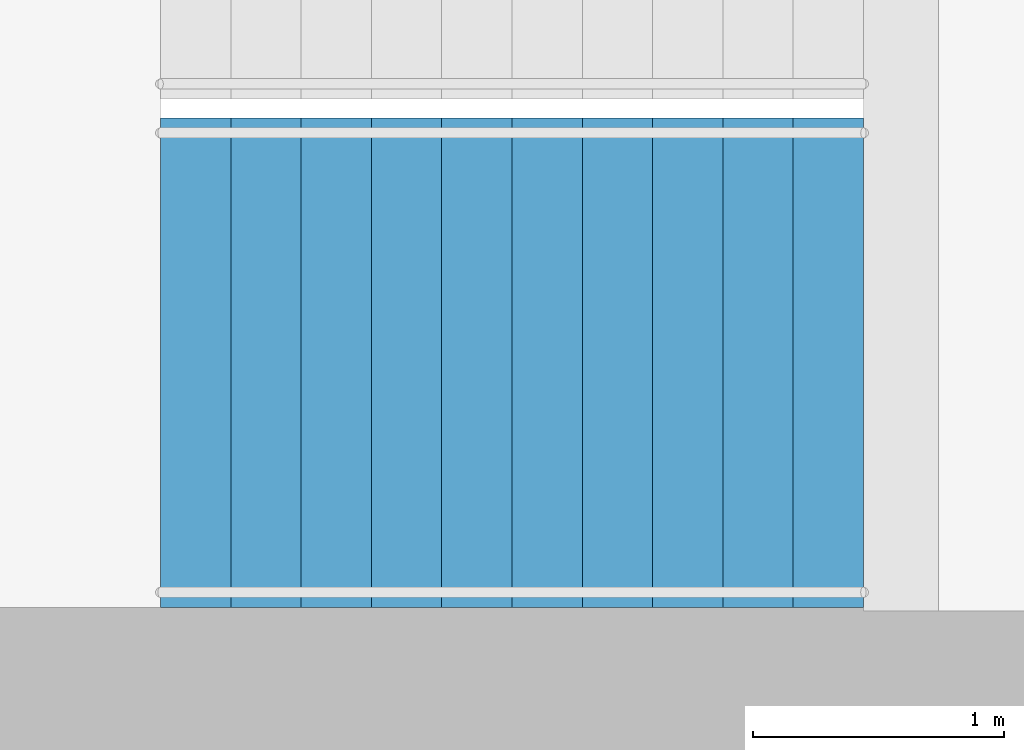
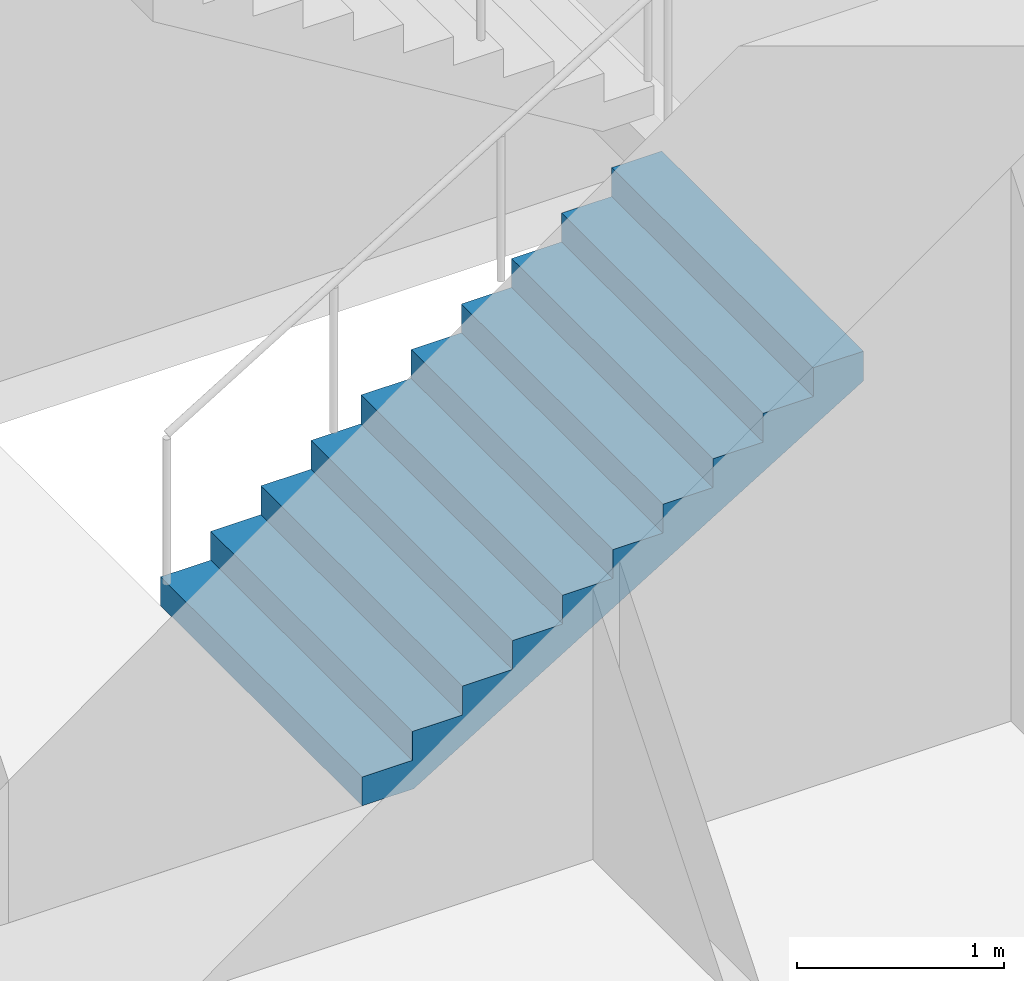
# One storey, part 18 of 22: 1 stair flight, 1 element without a shape of its own.
"""IFC4 building model written with IfcOpenShell, lengths in metres."""

from ifc_helpers import new_model, si_unit, direction, frame, origin, place, context, subcontext, project, spatial, triangles, material, type_object, element, aggregate, save


model = new_model("IFC4")

# Units and contexts
model_context = context("Model", 3, precision=1e-05, world=origin(), true_north=direction((0.0, 1.0)))
body_context = subcontext(model_context, "Body", "Model", "MODEL_VIEW")
ifc_project = project(units=[si_unit("LENGTHUNIT", "METRE"), si_unit("AREAUNIT", "SQUARE_METRE"), si_unit("VOLUMEUNIT", "CUBIC_METRE"), si_unit("PLANEANGLEUNIT", "RADIAN"), si_unit("MASSUNIT", "GRAM", prefix="KILO")], contexts=[model_context])

# Site, building, storey
site_placement = place(None, origin())
site = spatial("IfcSite", under=ifc_project, at=site_placement, CompositionType="ELEMENT")
building_placement = place(site_placement, origin())
building = spatial("IfcBuilding", under=site, at=building_placement, Name="Orbita Commons", CompositionType="ELEMENT")
storey_placement = place(building_placement, frame((0.0, 0.0, 80.64990234375)))
storey = spatial("IfcBuildingStorey", under=building, at=storey_placement, Name="L19", CompositionType="ELEMENT", Elevation=80.64990234375)

# Stair, stair flight
ifc_material_1 = material(Name="Precast concrete C40/50", Category="concrete")
stair_type = type_object("IfcStairType", Name="Exit stair S1 2 flights 11 risers 170", PredefinedType="HALF_TURN_STAIR", material=ifc_material_1)
stair_placement = place(storey_placement, origin())
stair = element("IfcStair", 1, at=stair_placement, inside=storey, type_object=stair_type, Name="Exit stair S1 L19", PredefinedType="HALF_TURN_STAIR")
ifc_material_2 = material(Name="Precast concrete C40/50", Category="concrete")
stair_flight_type = type_object("IfcStairFlightType", Name="Stair flight 11 risers 170 x 280", PredefinedType="STRAIGHT", material=ifc_material_2)
stair_flight_placement = place(storey_placement, frame((20.449951171875, 27.25, 0.0), z_axis=(0.0, 0.0, 1.0), x_axis=(1.0, 0.0, 0.0)))
stair_flight = element("IfcStairFlight", 2, at=stair_flight_placement, type_object=stair_flight_type, Name="S1 flight 1", NumberOfRisers=11, NumberOfTreads=10, PredefinedType="STRAIGHT", RiserHeight=0.170454545, TreadLength=0.28, context=body_context, shape_type="Tessellation", body=[
    triangles([(0.0, 0.974976, 0.0), (0.0, 0.974976, 0.021307), (0.0, 0.81248, 0.021307), (0.0, 0.81248, 0.0), (0.0, 0.649984, 0.021307), (0.0, 0.649984, 0.0), (0.0, 0.487488, 0.021307), (0.0, 0.487488, 0.0), (0.0, 0.324992, 0.021307), (0.0, 0.324992, 0.0), (0.0, 0.162496, 0.021307), (0.0, 0.162496, 0.0), (0.0, 0.0, 0.021307), (0.0, 0.0, 0.0), (0.0, -0.162496, 0.021307), (0.0, -0.162496, 0.0), (0.0, -0.324992, 0.021307), (0.0, -0.324992, 0.0), (0.0, -0.487488, 0.021307), (0.0, -0.487488, 0.0), (0.0, -0.649984, 0.021307), (0.0, -0.649984, 0.0), (0.0, -0.81248, 0.021307), (0.0, -0.81248, 0.0), (0.0, -0.974976, 0.021307), (0.0, -0.974976, 0.0), (0.0, 0.974976, 0.042614), (0.0, 0.81248, 0.042614), (0.0, 0.649984, 0.042614), (0.0, 0.487488, 0.042614), (0.0, 0.324992, 0.042614), (0.0, 0.162496, 0.042614), (0.0, 0.0, 0.042614), (0.0, -0.162496, 0.042614), (0.0, -0.324992, 0.042614), (0.0, -0.487488, 0.042614), (0.0, -0.649984, 0.042614), (0.0, -0.81248, 0.042614), (0.0, -0.974976, 0.042614), (0.0, 0.974976, 0.06392), (0.0, 0.81248, 0.06392), (0.0, 0.649984, 0.06392), (0.0, 0.487488, 0.06392), (0.0, 0.324992, 0.06392), (0.0, 0.162496, 0.06392), (0.0, 0.0, 0.06392), (0.0, -0.162496, 0.06392), (0.0, -0.324992, 0.06392), (0.0, -0.487488, 0.06392), (0.0, -0.649984, 0.06392), (0.0, -0.81248, 0.06392), (0.0, -0.974976, 0.06392), (0.0, 0.974976, 0.085227), (0.0, 0.81248, 0.085227), (0.0, 0.649984, 0.085227), (0.0, 0.487488, 0.085227), (0.0, 0.324992, 0.085227), (0.0, 0.162496, 0.085227), (0.0, 0.0, 0.085227), (0.0, -0.162496, 0.085227), (0.0, -0.324992, 0.085227), (0.0, -0.487488, 0.085227), (0.0, -0.649984, 0.085227), (0.0, -0.81248, 0.085227), (0.0, -0.974976, 0.085227), (0.0, 0.974976, 0.106534), (0.0, 0.81248, 0.106534), (0.0, 0.649984, 0.106534), (0.0, 0.487488, 0.106534), (0.0, 0.324992, 0.106534), (0.0, 0.162496, 0.106534), (0.0, 0.0, 0.106534), (0.0, -0.162496, 0.106534), (0.0, -0.324992, 0.106534), (0.0, -0.487488, 0.106534), (0.0, -0.649984, 0.106534), (0.0, -0.81248, 0.106534), (0.0, -0.974976, 0.106534), (0.0, 0.974976, 0.127841), (0.0, 0.81248, 0.127841), (0.0, 0.649984, 0.127841), (0.0, 0.487488, 0.127841), (0.0, 0.324992, 0.127841), (0.0, 0.162496, 0.127841), (0.0, 0.0, 0.127841), (0.0, -0.162496, 0.127841), (0.0, -0.324992, 0.127841), (0.0, -0.487488, 0.127841), (0.0, -0.649984, 0.127841), (0.0, -0.81248, 0.127841), (0.0, -0.974976, 0.127841), (0.0, 0.974976, 0.149148), (0.0, 0.81248, 0.149148), (0.0, 0.649984, 0.149148), (0.0, 0.487488, 0.149148), (0.0, 0.324992, 0.149148), (0.0, 0.162496, 0.149148), (0.0, 0.0, 0.149148), (0.0, -0.162496, 0.149148), (0.0, -0.324992, 0.149148), (0.0, -0.487488, 0.149148), (0.0, -0.649984, 0.149148), (0.0, -0.81248, 0.149148), (0.0, -0.974976, 0.149148), (0.0, 0.974976, 0.170455), (0.0, 0.81248, 0.170455), (0.0, 0.649984, 0.170455), (0.0, 0.487488, 0.170455), (0.0, 0.324992, 0.170455), (0.0, 0.162496, 0.170455), (0.0, 0.0, 0.170455), (0.0, -0.162496, 0.170455), (0.0, -0.324992, 0.170455), (0.0, -0.487488, 0.170455), (0.0, -0.649984, 0.170455), (0.0, -0.81248, 0.170455), (0.0, -0.974976, 0.170455), (0.28, 0.974976, 0.170455), (0.28, 0.81248, 0.170455), (0.28, 0.649984, 0.170455), (0.28, 0.487488, 0.170455), (0.28, 0.324992, 0.170455), (0.28, 0.162496, 0.170455), (0.28, 0.0, 0.170455), (0.28, -0.162496, 0.170455), (0.28, -0.324992, 0.170455), (0.28, -0.487488, 0.170455), (0.28, -0.649984, 0.170455), (0.28, -0.81248, 0.170455), (0.28, -0.974976, 0.170455), (0.28, 0.974976, 0.340909), (0.28, 0.81248, 0.340909), (0.28, 0.649984, 0.340909), (0.28, 0.487488, 0.340909), (0.28, 0.324992, 0.340909), (0.28, 0.162496, 0.340909), (0.28, 0.0, 0.340909), (0.28, -0.162496, 0.340909), (0.28, -0.324992, 0.340909), (0.28, -0.487488, 0.340909), (0.28, -0.649984, 0.340909), (0.28, -0.81248, 0.340909), (0.28, -0.974976, 0.340909), (0.56, 0.974976, 0.340909), (0.56, 0.81248, 0.340909), (0.56, 0.649984, 0.340909), (0.56, 0.487488, 0.340909), (0.56, 0.324992, 0.340909), (0.56, 0.162496, 0.340909), (0.56, 0.0, 0.340909), (0.56, -0.162496, 0.340909), (0.56, -0.324992, 0.340909), (0.56, -0.487488, 0.340909), (0.56, -0.649984, 0.340909), (0.56, -0.81248, 0.340909), (0.56, -0.974976, 0.340909), (0.56, 0.974976, 0.511364), (0.56, 0.81248, 0.511364), (0.56, 0.649984, 0.511364), (0.56, 0.487488, 0.511364), (0.56, 0.324992, 0.511364), (0.56, 0.162496, 0.511364), (0.56, 0.0, 0.511364), (0.56, -0.162496, 0.511364), (0.56, -0.324992, 0.511364), (0.56, -0.487488, 0.511364), (0.56, -0.649984, 0.511364), (0.56, -0.81248, 0.511364), (0.56, -0.974976, 0.511364), (0.84, 0.974976, 0.511364), (0.84, 0.81248, 0.511364), (0.84, 0.649984, 0.511364), (0.84, 0.487488, 0.511364), (0.84, 0.324992, 0.511364), (0.84, 0.162496, 0.511364), (0.84, 0.0, 0.511364), (0.84, -0.162496, 0.511364), (0.84, -0.324992, 0.511364), (0.84, -0.487488, 0.511364), (0.84, -0.649984, 0.511364), (0.84, -0.81248, 0.511364), (0.84, -0.974976, 0.511364), (0.84, 0.974976, 0.681818), (0.84, 0.81248, 0.681818), (0.84, 0.649984, 0.681818), (0.84, 0.487488, 0.681818), (0.84, 0.324992, 0.681818), (0.84, 0.162496, 0.681818), (0.84, 0.0, 0.681818), (0.84, -0.162496, 0.681818), (0.84, -0.324992, 0.681818), (0.84, -0.487488, 0.681818), (0.84, -0.649984, 0.681818), (0.84, -0.81248, 0.681818), (0.84, -0.974976, 0.681818), (1.12, 0.974976, 0.681818), (1.12, 0.81248, 0.681818), (1.12, 0.649984, 0.681818), (1.12, 0.487488, 0.681818), (1.12, 0.324992, 0.681818), (1.12, 0.162496, 0.681818), (1.12, 0.0, 0.681818), (1.12, -0.162496, 0.681818), (1.12, -0.324992, 0.681818), (1.12, -0.487488, 0.681818), (1.12, -0.649984, 0.681818), (1.12, -0.81248, 0.681818), (1.12, -0.974976, 0.681818), (1.12, 0.974976, 0.852273), (1.12, 0.81248, 0.852273), (1.12, 0.649984, 0.852273), (1.12, 0.487488, 0.852273), (1.12, 0.324992, 0.852273), (1.12, 0.162496, 0.852273), (1.12, 0.0, 0.852273), (1.12, -0.162496, 0.852273), (1.12, -0.324992, 0.852273), (1.12, -0.487488, 0.852273), (1.12, -0.649984, 0.852273), (1.12, -0.81248, 0.852273), (1.12, -0.974976, 0.852273), (1.4, 0.974976, 0.852273), (1.4, 0.81248, 0.852273), (1.4, 0.649984, 0.852273), (1.4, 0.487488, 0.852273), (1.4, 0.324992, 0.852273), (1.4, 0.162496, 0.852273), (1.4, 0.0, 0.852273), (1.4, -0.162496, 0.852273), (1.4, -0.324992, 0.852273), (1.4, -0.487488, 0.852273), (1.4, -0.649984, 0.852273), (1.4, -0.81248, 0.852273), (1.4, -0.974976, 0.852273), (1.4, 0.974976, 1.022727), (1.4, 0.81248, 1.022727), (1.4, 0.649984, 1.022727), (1.4, 0.487488, 1.022727), (1.4, 0.324992, 1.022727), (1.4, 0.162496, 1.022727), (1.4, 0.0, 1.022727), (1.4, -0.162496, 1.022727), (1.4, -0.324992, 1.022727), (1.4, -0.487488, 1.022727), (1.4, -0.649984, 1.022727), (1.4, -0.81248, 1.022727), (1.4, -0.974976, 1.022727), (1.68, 0.974976, 1.022727), (1.68, 0.81248, 1.022727), (1.68, 0.649984, 1.022727), (1.68, 0.487488, 1.022727), (1.68, 0.324992, 1.022727), (1.68, 0.162496, 1.022727), (1.68, 0.0, 1.022727), (1.68, -0.162496, 1.022727), (1.68, -0.324992, 1.022727), (1.68, -0.487488, 1.022727), (1.68, -0.649984, 1.022727), (1.68, -0.81248, 1.022727), (1.68, -0.974976, 1.022727), (1.68, 0.974976, 1.193182), (1.68, 0.81248, 1.193182), (1.68, 0.649984, 1.193182), (1.68, 0.487488, 1.193182), (1.68, 0.324992, 1.193182), (1.68, 0.162496, 1.193182), (1.68, 0.0, 1.193182), (1.68, -0.162496, 1.193182), (1.68, -0.324992, 1.193182), (1.68, -0.487488, 1.193182), (1.68, -0.649984, 1.193182), (1.68, -0.81248, 1.193182), (1.68, -0.974976, 1.193182), (1.96, 0.974976, 1.193182), (1.96, 0.81248, 1.193182), (1.96, 0.649984, 1.193182), (1.96, 0.487488, 1.193182), (1.96, 0.324992, 1.193182), (1.96, 0.162496, 1.193182), (1.96, 0.0, 1.193182), (1.96, -0.162496, 1.193182), (1.96, -0.324992, 1.193182), (1.96, -0.487488, 1.193182), (1.96, -0.649984, 1.193182), (1.96, -0.81248, 1.193182), (1.96, -0.974976, 1.193182), (1.96, 0.974976, 1.363636), (1.96, 0.81248, 1.363636), (1.96, 0.649984, 1.363636), (1.96, 0.487488, 1.363636), (1.96, 0.324992, 1.363636), (1.96, 0.162496, 1.363636), (1.96, 0.0, 1.363636), (1.96, -0.162496, 1.363636), (1.96, -0.324992, 1.363636), (1.96, -0.487488, 1.363636), (1.96, -0.649984, 1.363636), (1.96, -0.81248, 1.363636), (1.96, -0.974976, 1.363636), (2.24, 0.974976, 1.363636), (2.24, 0.81248, 1.363636), (2.24, 0.649984, 1.363636), (2.24, 0.487488, 1.363636), (2.24, 0.324992, 1.363636), (2.24, 0.162496, 1.363636), (2.24, 0.0, 1.363636), (2.24, -0.162496, 1.363636), (2.24, -0.324992, 1.363636), (2.24, -0.487488, 1.363636), (2.24, -0.649984, 1.363636), (2.24, -0.81248, 1.363636), (2.24, -0.974976, 1.363636), (2.24, 0.974976, 1.534091), (2.24, 0.81248, 1.534091), (2.24, 0.649984, 1.534091), (2.24, 0.487488, 1.534091), (2.24, 0.324992, 1.534091), (2.24, 0.162496, 1.534091), (2.24, 0.0, 1.534091), (2.24, -0.162496, 1.534091), (2.24, -0.324992, 1.534091), (2.24, -0.487488, 1.534091), (2.24, -0.649984, 1.534091), (2.24, -0.81248, 1.534091), (2.24, -0.974976, 1.534091), (2.52, 0.974976, 1.534091), (2.52, 0.81248, 1.534091), (2.52, 0.649984, 1.534091), (2.52, 0.487488, 1.534091), (2.52, 0.324992, 1.534091), (2.52, 0.162496, 1.534091), (2.52, 0.0, 1.534091), (2.52, -0.162496, 1.534091), (2.52, -0.324992, 1.534091), (2.52, -0.487488, 1.534091), (2.52, -0.649984, 1.534091), (2.52, -0.81248, 1.534091), (2.52, -0.974976, 1.534091), (2.52, 0.974976, 1.704545), (2.52, 0.81248, 1.704545), (2.52, 0.649984, 1.704545), (2.52, 0.487488, 1.704545), (2.52, 0.324992, 1.704545), (2.52, 0.162496, 1.704545), (2.52, 0.0, 1.704545), (2.52, -0.162496, 1.704545), (2.52, -0.324992, 1.704545), (2.52, -0.487488, 1.704545), (2.52, -0.649984, 1.704545), (2.52, -0.81248, 1.704545), (2.52, -0.974976, 1.704545), (2.8, 0.974976, 1.704545), (2.8, 0.81248, 1.704545), (2.8, 0.649984, 1.704545), (2.8, 0.487488, 1.704545), (2.8, 0.324992, 1.704545), (2.8, 0.162496, 1.704545), (2.8, 0.0, 1.704545), (2.8, -0.162496, 1.704545), (2.8, -0.324992, 1.704545), (2.8, -0.487488, 1.704545), (2.8, -0.649984, 1.704545), (2.8, -0.81248, 1.704545), (2.8, -0.974976, 1.704545), (2.8, 0.974976, 1.682609), (2.8, 0.81248, 1.682609), (2.8, 0.649984, 1.682609), (2.8, 0.487488, 1.682609), (2.8, 0.324992, 1.682609), (2.8, 0.162496, 1.682609), (2.8, 0.0, 1.682609), (2.8, -0.162496, 1.682609), (2.8, -0.324992, 1.682609), (2.8, -0.487488, 1.682609), (2.8, -0.649984, 1.682609), (2.8, -0.81248, 1.682609), (2.8, -0.974976, 1.682609), (2.8, 0.974976, 1.660672), (2.8, 0.81248, 1.660672), (2.8, 0.649984, 1.660672), (2.8, 0.487488, 1.660672), (2.8, 0.324992, 1.660672), (2.8, 0.162496, 1.660672), (2.8, 0.0, 1.660672), (2.8, -0.162496, 1.660672), (2.8, -0.324992, 1.660672), (2.8, -0.487488, 1.660672), (2.8, -0.649984, 1.660672), (2.8, -0.81248, 1.660672), (2.8, -0.974976, 1.660672), (2.8, 0.974976, 1.638735), (2.8, 0.81248, 1.638735), (2.8, 0.649984, 1.638735), (2.8, 0.487488, 1.638735), (2.8, 0.324992, 1.638735), (2.8, 0.162496, 1.638735), (2.8, 0.0, 1.638735), (2.8, -0.162496, 1.638735), (2.8, -0.324992, 1.638735), (2.8, -0.487488, 1.638735), (2.8, -0.649984, 1.638735), (2.8, -0.81248, 1.638735), (2.8, -0.974976, 1.638735), (2.8, 0.974976, 1.616798), (2.8, 0.81248, 1.616798), (2.8, 0.649984, 1.616798), (2.8, 0.487488, 1.616798), (2.8, 0.324992, 1.616798), (2.8, 0.162496, 1.616798), (2.8, 0.0, 1.616798), (2.8, -0.162496, 1.616798), (2.8, -0.324992, 1.616798), (2.8, -0.487488, 1.616798), (2.8, -0.649984, 1.616798), (2.8, -0.81248, 1.616798), (2.8, -0.974976, 1.616798), (2.8, 0.974976, 1.594861), (2.8, 0.81248, 1.594861), (2.8, 0.649984, 1.594861), (2.8, 0.487488, 1.594861), (2.8, 0.324992, 1.594861), (2.8, 0.162496, 1.594861), (2.8, 0.0, 1.594861), (2.8, -0.162496, 1.594861), (2.8, -0.324992, 1.594861), (2.8, -0.487488, 1.594861), (2.8, -0.649984, 1.594861), (2.8, -0.81248, 1.594861), (2.8, -0.974976, 1.594861), (2.8, 0.974976, 1.572925), (2.8, 0.81248, 1.572925), (2.8, 0.649984, 1.572925), (2.8, 0.487488, 1.572925), (2.8, 0.324992, 1.572925), (2.8, 0.162496, 1.572925), (2.8, 0.0, 1.572925), (2.8, -0.162496, 1.572925), (2.8, -0.324992, 1.572925), (2.8, -0.487488, 1.572925), (2.8, -0.649984, 1.572925), (2.8, -0.81248, 1.572925), (2.8, -0.974976, 1.572925), (2.8, 0.974976, 1.550988), (2.8, 0.81248, 1.550988), (2.8, 0.649984, 1.550988), (2.8, 0.487488, 1.550988), (2.8, 0.324992, 1.550988), (2.8, 0.162496, 1.550988), (2.8, 0.0, 1.550988), (2.8, -0.162496, 1.550988), (2.8, -0.324992, 1.550988), (2.8, -0.487488, 1.550988), (2.8, -0.649984, 1.550988), (2.8, -0.81248, 1.550988), (2.8, -0.974976, 1.550988), (2.8, 0.974976, 1.529051), (2.8, 0.81248, 1.529051), (2.8, 0.649984, 1.529051), (2.8, 0.487488, 1.529051), (2.8, 0.324992, 1.529051), (2.8, 0.162496, 1.529051), (2.8, 0.0, 1.529051), (2.8, -0.162496, 1.529051), (2.8, -0.324992, 1.529051), (2.8, -0.487488, 1.529051), (2.8, -0.649984, 1.529051), (2.8, -0.81248, 1.529051), (2.8, -0.974976, 1.529051), (0.288279, 0.974976, 0.0), (0.288279, 0.81248, 0.0), (0.288279, 0.649984, 0.0), (0.288279, 0.487488, 0.0), (0.288279, 0.324992, 0.0), (0.288279, 0.162496, 0.0), (0.288279, 0.0, 0.0), (0.288279, -0.162496, 0.0), (0.288279, -0.324992, 0.0), (0.288279, -0.487488, 0.0), (0.288279, -0.649984, 0.0), (0.288279, -0.81248, 0.0), (0.288279, -0.974976, 0.0)], [[3, 2, 1], [4, 3, 1], [5, 3, 4], [6, 5, 4], [7, 5, 6], [8, 7, 6], [9, 7, 8], [10, 9, 8], [11, 9, 10], [12, 11, 10], [13, 11, 12], [14, 13, 12], [15, 13, 14], [16, 15, 14], [17, 15, 16], [18, 17, 16], [19, 17, 18], [20, 19, 18], [21, 19, 20], [22, 21, 20], [23, 21, 22], [24, 23, 22], [25, 23, 24], [26, 25, 24], [28, 27, 2], [3, 28, 2], [29, 28, 3], [5, 29, 3], [30, 29, 5], [7, 30, 5], [31, 30, 7], [9, 31, 7], [32, 31, 9], [11, 32, 9], [33, 32, 11], [13, 33, 11], [34, 33, 13], [15, 34, 13], [35, 34, 15], [17, 35, 15], [36, 35, 17], [19, 36, 17], [37, 36, 19], [21, 37, 19], [38, 37, 21], [23, 38, 21], [39, 38, 23], [25, 39, 23], [41, 40, 27], [28, 41, 27], [42, 41, 28], [29, 42, 28], [43, 42, 29], [30, 43, 29], [44, 43, 30], [31, 44, 30], [45, 44, 31], [32, 45, 31], [46, 45, 32], [33, 46, 32], [47, 46, 33], [34, 47, 33], [48, 47, 34], [35, 48, 34], [49, 48, 35], [36, 49, 35], [50, 49, 36], [37, 50, 36], [51, 50, 37], [38, 51, 37], [52, 51, 38], [39, 52, 38], [54, 53, 40], [41, 54, 40], [55, 54, 41], [42, 55, 41], [56, 55, 42], [43, 56, 42], [57, 56, 43], [44, 57, 43], [58, 57, 44], [45, 58, 44], [59, 58, 45], [46, 59, 45], [60, 59, 46], [47, 60, 46], [61, 60, 47], [48, 61, 47], [62, 61, 48], [49, 62, 48], [63, 62, 49], [50, 63, 49], [64, 63, 50], [51, 64, 50], [65, 64, 51], [52, 65, 51], [67, 66, 53], [54, 67, 53], [68, 67, 54], [55, 68, 54], [69, 68, 55], [56, 69, 55], [70, 69, 56], [57, 70, 56], [71, 70, 57], [58, 71, 57], [72, 71, 58], [59, 72, 58], [73, 72, 59], [60, 73, 59], [74, 73, 60], [61, 74, 60], [75, 74, 61], [62, 75, 61], [76, 75, 62], [63, 76, 62], [77, 76, 63], [64, 77, 63], [78, 77, 64], [65, 78, 64], [80, 79, 66], [67, 80, 66], [81, 80, 67], [68, 81, 67], [82, 81, 68], [69, 82, 68], [83, 82, 69], [70, 83, 69], [84, 83, 70], [71, 84, 70], [85, 84, 71], [72, 85, 71], [86, 85, 72], [73, 86, 72], [87, 86, 73], [74, 87, 73], [88, 87, 74], [75, 88, 74], [89, 88, 75], [76, 89, 75], [90, 89, 76], [77, 90, 76], [91, 90, 77], [78, 91, 77], [93, 92, 79], [80, 93, 79], [94, 93, 80], [81, 94, 80], [95, 94, 81], [82, 95, 81], [96, 95, 82], [83, 96, 82], [97, 96, 83], [84, 97, 83], [98, 97, 84], [85, 98, 84], [99, 98, 85], [86, 99, 85], [100, 99, 86], [87, 100, 86], [101, 100, 87], [88, 101, 87], [102, 101, 88], [89, 102, 88], [103, 102, 89], [90, 103, 89], [104, 103, 90], [91, 104, 90], [106, 105, 92], [93, 106, 92], [107, 106, 93], [94, 107, 93], [108, 107, 94], [95, 108, 94], [109, 108, 95], [96, 109, 95], [110, 109, 96], [97, 110, 96], [111, 110, 97], [98, 111, 97], [112, 111, 98], [99, 112, 98], [113, 112, 99], [100, 113, 99], [114, 113, 100], [101, 114, 100], [115, 114, 101], [102, 115, 101], [116, 115, 102], [103, 116, 102], [117, 116, 103], [104, 117, 103], [119, 118, 105], [106, 119, 105], [120, 119, 106], [107, 120, 106], [121, 120, 107], [108, 121, 107], [122, 121, 108], [109, 122, 108], [123, 122, 109], [110, 123, 109], [124, 123, 110], [111, 124, 110], [125, 124, 111], [112, 125, 111], [126, 125, 112], [113, 126, 112], [127, 126, 113], [114, 127, 113], [128, 127, 114], [115, 128, 114], [129, 128, 115], [116, 129, 115], [130, 129, 116], [117, 130, 116], [132, 131, 118], [119, 132, 118], [133, 132, 119], [120, 133, 119], [134, 133, 120], [121, 134, 120], [135, 134, 121], [122, 135, 121], [136, 135, 122], [123, 136, 122], [137, 136, 123], [124, 137, 123], [138, 137, 124], [125, 138, 124], [139, 138, 125], [126, 139, 125], [140, 139, 126], [127, 140, 126], [141, 140, 127], [128, 141, 127], [142, 141, 128], [129, 142, 128], [143, 142, 129], [130, 143, 129], [145, 144, 131], [132, 145, 131], [146, 145, 132], [133, 146, 132], [147, 146, 133], [134, 147, 133], [148, 147, 134], [135, 148, 134], [149, 148, 135], [136, 149, 135], [150, 149, 136], [137, 150, 136], [151, 150, 137], [138, 151, 137], [152, 151, 138], [139, 152, 138], [153, 152, 139], [140, 153, 139], [154, 153, 140], [141, 154, 140], [155, 154, 141], [142, 155, 141], [156, 155, 142], [143, 156, 142], [158, 157, 144], [145, 158, 144], [159, 158, 145], [146, 159, 145], [160, 159, 146], [147, 160, 146], [161, 160, 147], [148, 161, 147], [162, 161, 148], [149, 162, 148], [163, 162, 149], [150, 163, 149], [164, 163, 150], [151, 164, 150], [165, 164, 151], [152, 165, 151], [166, 165, 152], [153, 166, 152], [167, 166, 153], [154, 167, 153], [168, 167, 154], [155, 168, 154], [169, 168, 155], [156, 169, 155], [171, 170, 157], [158, 171, 157], [172, 171, 158], [159, 172, 158], [173, 172, 159], [160, 173, 159], [174, 173, 160], [161, 174, 160], [175, 174, 161], [162, 175, 161], [176, 175, 162], [163, 176, 162], [177, 176, 163], [164, 177, 163], [178, 177, 164], [165, 178, 164], [179, 178, 165], [166, 179, 165], [180, 179, 166], [167, 180, 166], [181, 180, 167], [168, 181, 167], [182, 181, 168], [169, 182, 168], [184, 183, 170], [171, 184, 170], [185, 184, 171], [172, 185, 171], [186, 185, 172], [173, 186, 172], [187, 186, 173], [174, 187, 173], [188, 187, 174], [175, 188, 174], [189, 188, 175], [176, 189, 175], [190, 189, 176], [177, 190, 176], [191, 190, 177], [178, 191, 177], [192, 191, 178], [179, 192, 178], [193, 192, 179], [180, 193, 179], [194, 193, 180], [181, 194, 180], [195, 194, 181], [182, 195, 181], [197, 196, 183], [184, 197, 183], [198, 197, 184], [185, 198, 184], [199, 198, 185], [186, 199, 185], [200, 199, 186], [187, 200, 186], [201, 200, 187], [188, 201, 187], [202, 201, 188], [189, 202, 188], [203, 202, 189], [190, 203, 189], [204, 203, 190], [191, 204, 190], [205, 204, 191], [192, 205, 191], [206, 205, 192], [193, 206, 192], [207, 206, 193], [194, 207, 193], [208, 207, 194], [195, 208, 194], [210, 209, 196], [197, 210, 196], [211, 210, 197], [198, 211, 197], [212, 211, 198], [199, 212, 198], [213, 212, 199], [200, 213, 199], [214, 213, 200], [201, 214, 200], [215, 214, 201], [202, 215, 201], [216, 215, 202], [203, 216, 202], [217, 216, 203], [204, 217, 203], [218, 217, 204], [205, 218, 204], [219, 218, 205], [206, 219, 205], [220, 219, 206], [207, 220, 206], [221, 220, 207], [208, 221, 207], [223, 222, 209], [210, 223, 209], [224, 223, 210], [211, 224, 210], [225, 224, 211], [212, 225, 211], [226, 225, 212], [213, 226, 212], [227, 226, 213], [214, 227, 213], [228, 227, 214], [215, 228, 214], [229, 228, 215], [216, 229, 215], [230, 229, 216], [217, 230, 216], [231, 230, 217], [218, 231, 217], [232, 231, 218], [219, 232, 218], [233, 232, 219], [220, 233, 219], [234, 233, 220], [221, 234, 220], [236, 235, 222], [223, 236, 222], [237, 236, 223], [224, 237, 223], [238, 237, 224], [225, 238, 224], [239, 238, 225], [226, 239, 225], [240, 239, 226], [227, 240, 226], [241, 240, 227], [228, 241, 227], [242, 241, 228], [229, 242, 228], [243, 242, 229], [230, 243, 229], [244, 243, 230], [231, 244, 230], [245, 244, 231], [232, 245, 231], [246, 245, 232], [233, 246, 232], [247, 246, 233], [234, 247, 233], [249, 248, 235], [236, 249, 235], [250, 249, 236], [237, 250, 236], [251, 250, 237], [238, 251, 237], [252, 251, 238], [239, 252, 238], [253, 252, 239], [240, 253, 239], [254, 253, 240], [241, 254, 240], [255, 254, 241], [242, 255, 241], [256, 255, 242], [243, 256, 242], [257, 256, 243], [244, 257, 243], [258, 257, 244], [245, 258, 244], [259, 258, 245], [246, 259, 245], [260, 259, 246], [247, 260, 246], [262, 261, 248], [249, 262, 248], [263, 262, 249], [250, 263, 249], [264, 263, 250], [251, 264, 250], [265, 264, 251], [252, 265, 251], [266, 265, 252], [253, 266, 252], [267, 266, 253], [254, 267, 253], [268, 267, 254], [255, 268, 254], [269, 268, 255], [256, 269, 255], [270, 269, 256], [257, 270, 256], [271, 270, 257], [258, 271, 257], [272, 271, 258], [259, 272, 258], [273, 272, 259], [260, 273, 259], [275, 274, 261], [262, 275, 261], [276, 275, 262], [263, 276, 262], [277, 276, 263], [264, 277, 263], [278, 277, 264], [265, 278, 264], [279, 278, 265], [266, 279, 265], [280, 279, 266], [267, 280, 266], [281, 280, 267], [268, 281, 267], [282, 281, 268], [269, 282, 268], [283, 282, 269], [270, 283, 269], [284, 283, 270], [271, 284, 270], [285, 284, 271], [272, 285, 271], [286, 285, 272], [273, 286, 272], [288, 287, 274], [275, 288, 274], [289, 288, 275], [276, 289, 275], [290, 289, 276], [277, 290, 276], [291, 290, 277], [278, 291, 277], [292, 291, 278], [279, 292, 278], [293, 292, 279], [280, 293, 279], [294, 293, 280], [281, 294, 280], [295, 294, 281], [282, 295, 281], [296, 295, 282], [283, 296, 282], [297, 296, 283], [284, 297, 283], [298, 297, 284], [285, 298, 284], [299, 298, 285], [286, 299, 285], [301, 300, 287], [288, 301, 287], [302, 301, 288], [289, 302, 288], [303, 302, 289], [290, 303, 289], [304, 303, 290], [291, 304, 290], [305, 304, 291], [292, 305, 291], [306, 305, 292], [293, 306, 292], [307, 306, 293], [294, 307, 293], [308, 307, 294], [295, 308, 294], [309, 308, 295], [296, 309, 295], [310, 309, 296], [297, 310, 296], [311, 310, 297], [298, 311, 297], [312, 311, 298], [299, 312, 298], [314, 313, 300], [301, 314, 300], [315, 314, 301], [302, 315, 301], [316, 315, 302], [303, 316, 302], [317, 316, 303], [304, 317, 303], [318, 317, 304], [305, 318, 304], [319, 318, 305], [306, 319, 305], [320, 319, 306], [307, 320, 306], [321, 320, 307], [308, 321, 307], [322, 321, 308], [309, 322, 308], [323, 322, 309], [310, 323, 309], [324, 323, 310], [311, 324, 310], [325, 324, 311], [312, 325, 311], [327, 326, 313], [314, 327, 313], [328, 327, 314], [315, 328, 314], [329, 328, 315], [316, 329, 315], [330, 329, 316], [317, 330, 316], [331, 330, 317], [318, 331, 317], [332, 331, 318], [319, 332, 318], [333, 332, 319], [320, 333, 319], [334, 333, 320], [321, 334, 320], [335, 334, 321], [322, 335, 321], [336, 335, 322], [323, 336, 322], [337, 336, 323], [324, 337, 323], [338, 337, 324], [325, 338, 324], [340, 339, 326], [327, 340, 326], [341, 340, 327], [328, 341, 327], [342, 341, 328], [329, 342, 328], [343, 342, 329], [330, 343, 329], [344, 343, 330], [331, 344, 330], [345, 344, 331], [332, 345, 331], [346, 345, 332], [333, 346, 332], [347, 346, 333], [334, 347, 333], [348, 347, 334], [335, 348, 334], [349, 348, 335], [336, 349, 335], [350, 349, 336], [337, 350, 336], [351, 350, 337], [338, 351, 337], [353, 352, 339], [340, 353, 339], [354, 353, 340], [341, 354, 340], [355, 354, 341], [342, 355, 341], [356, 355, 342], [343, 356, 342], [357, 356, 343], [344, 357, 343], [358, 357, 344], [345, 358, 344], [359, 358, 345], [346, 359, 345], [360, 359, 346], [347, 360, 346], [361, 360, 347], [348, 361, 347], [362, 361, 348], [349, 362, 348], [363, 362, 349], [350, 363, 349], [364, 363, 350], [351, 364, 350], [366, 365, 352], [353, 366, 352], [367, 366, 353], [354, 367, 353], [368, 367, 354], [355, 368, 354], [369, 368, 355], [356, 369, 355], [370, 369, 356], [357, 370, 356], [371, 370, 357], [358, 371, 357], [372, 371, 358], [359, 372, 358], [373, 372, 359], [360, 373, 359], [374, 373, 360], [361, 374, 360], [375, 374, 361], [362, 375, 361], [376, 375, 362], [363, 376, 362], [377, 376, 363], [364, 377, 363], [379, 378, 365], [366, 379, 365], [380, 379, 366], [367, 380, 366], [381, 380, 367], [368, 381, 367], [382, 381, 368], [369, 382, 368], [383, 382, 369], [370, 383, 369], [384, 383, 370], [371, 384, 370], [385, 384, 371], [372, 385, 371], [386, 385, 372], [373, 386, 372], [387, 386, 373], [374, 387, 373], [388, 387, 374], [375, 388, 374], [389, 388, 375], [376, 389, 375], [390, 389, 376], [377, 390, 376], [392, 391, 378], [379, 392, 378], [393, 392, 379], [380, 393, 379], [394, 393, 380], [381, 394, 380], [395, 394, 381], [382, 395, 381], [396, 395, 382], [383, 396, 382], [397, 396, 383], [384, 397, 383], [398, 397, 384], [385, 398, 384], [399, 398, 385], [386, 399, 385], [400, 399, 386], [387, 400, 386], [401, 400, 387], [388, 401, 387], [402, 401, 388], [389, 402, 388], [403, 402, 389], [390, 403, 389], [405, 404, 391], [392, 405, 391], [406, 405, 392], [393, 406, 392], [407, 406, 393], [394, 407, 393], [408, 407, 394], [395, 408, 394], [409, 408, 395], [396, 409, 395], [410, 409, 396], [397, 410, 396], [411, 410, 397], [398, 411, 397], [412, 411, 398], [399, 412, 398], [413, 412, 399], [400, 413, 399], [414, 413, 400], [401, 414, 400], [415, 414, 401], [402, 415, 401], [416, 415, 402], [403, 416, 402], [418, 417, 404], [405, 418, 404], [419, 418, 405], [406, 419, 405], [420, 419, 406], [407, 420, 406], [421, 420, 407], [408, 421, 407], [422, 421, 408], [409, 422, 408], [423, 422, 409], [410, 423, 409], [424, 423, 410], [411, 424, 410], [425, 424, 411], [412, 425, 411], [426, 425, 412], [413, 426, 412], [427, 426, 413], [414, 427, 413], [428, 427, 414], [415, 428, 414], [429, 428, 415], [416, 429, 415], [431, 430, 417], [418, 431, 417], [432, 431, 418], [419, 432, 418], [433, 432, 419], [420, 433, 419], [434, 433, 420], [421, 434, 420], [435, 434, 421], [422, 435, 421], [436, 435, 422], [423, 436, 422], [437, 436, 423], [424, 437, 423], [438, 437, 424], [425, 438, 424], [439, 438, 425], [426, 439, 425], [440, 439, 426], [427, 440, 426], [441, 440, 427], [428, 441, 427], [442, 441, 428], [429, 442, 428], [444, 443, 430], [431, 444, 430], [445, 444, 431], [432, 445, 431], [446, 445, 432], [433, 446, 432], [447, 446, 433], [434, 447, 433], [448, 447, 434], [435, 448, 434], [449, 448, 435], [436, 449, 435], [450, 449, 436], [437, 450, 436], [451, 450, 437], [438, 451, 437], [452, 451, 438], [439, 452, 438], [453, 452, 439], [440, 453, 439], [454, 453, 440], [441, 454, 440], [455, 454, 441], [442, 455, 441], [457, 456, 443], [444, 457, 443], [458, 457, 444], [445, 458, 444], [459, 458, 445], [446, 459, 445], [460, 459, 446], [447, 460, 446], [461, 460, 447], [448, 461, 447], [462, 461, 448], [449, 462, 448], [463, 462, 449], [450, 463, 449], [464, 463, 450], [451, 464, 450], [465, 464, 451], [452, 465, 451], [466, 465, 452], [453, 466, 452], [467, 466, 453], [454, 467, 453], [468, 467, 454], [455, 468, 454], [470, 469, 456], [457, 470, 456], [471, 470, 457], [458, 471, 457], [472, 471, 458], [459, 472, 458], [473, 472, 459], [460, 473, 459], [474, 473, 460], [461, 474, 460], [475, 474, 461], [462, 475, 461], [476, 475, 462], [463, 476, 462], [477, 476, 463], [464, 477, 463], [478, 477, 464], [465, 478, 464], [479, 478, 465], [466, 479, 465], [480, 479, 466], [467, 480, 466], [481, 480, 467], [468, 481, 467], [4, 1, 469], [470, 4, 469], [6, 4, 470], [471, 6, 470], [8, 6, 471], [472, 8, 471], [10, 8, 472], [473, 10, 472], [12, 10, 473], [474, 12, 473], [14, 12, 474], [475, 14, 474], [16, 14, 475], [476, 16, 475], [18, 16, 476], [477, 18, 476], [20, 18, 477], [478, 20, 477], [22, 20, 478], [479, 22, 478], [24, 22, 479], [480, 24, 479], [26, 24, 480], [481, 26, 480], [456, 469, 1], [26, 481, 468], [443, 456, 1], [26, 468, 455], [430, 443, 1], [26, 455, 442], [417, 430, 1], [26, 442, 429], [404, 417, 1], [26, 429, 416], [391, 404, 1], [26, 416, 403], [378, 391, 1], [26, 403, 390], [365, 378, 1], [26, 390, 377], [339, 352, 365], [377, 364, 351], [326, 339, 365], [377, 351, 338], [300, 313, 326], [338, 325, 312], [300, 326, 365], [377, 338, 312], [274, 287, 300], [312, 299, 286], [274, 300, 365], [377, 312, 286], [248, 261, 274], [286, 273, 260], [248, 274, 365], [377, 286, 260], [222, 235, 248], [260, 247, 234], [222, 248, 365], [377, 260, 234], [196, 209, 222], [234, 221, 208], [196, 222, 365], [377, 234, 208], [170, 183, 196], [208, 195, 182], [170, 196, 365], [377, 208, 182], [144, 157, 170], [182, 169, 156], [144, 170, 365], [377, 182, 156], [118, 131, 144], [156, 143, 130], [118, 144, 365], [377, 156, 130], [118, 365, 1], [26, 377, 130], [92, 105, 118], [130, 117, 104], [79, 92, 118], [130, 104, 91], [66, 79, 118], [130, 91, 78], [53, 66, 118], [130, 78, 65], [40, 53, 118], [130, 65, 52], [27, 40, 118], [130, 52, 39], [2, 27, 118], [130, 39, 25], [1, 2, 118], [130, 25, 26]], closed=True),
])
aggregate(stair, [stair_flight])

save(model, "model.ifc")
